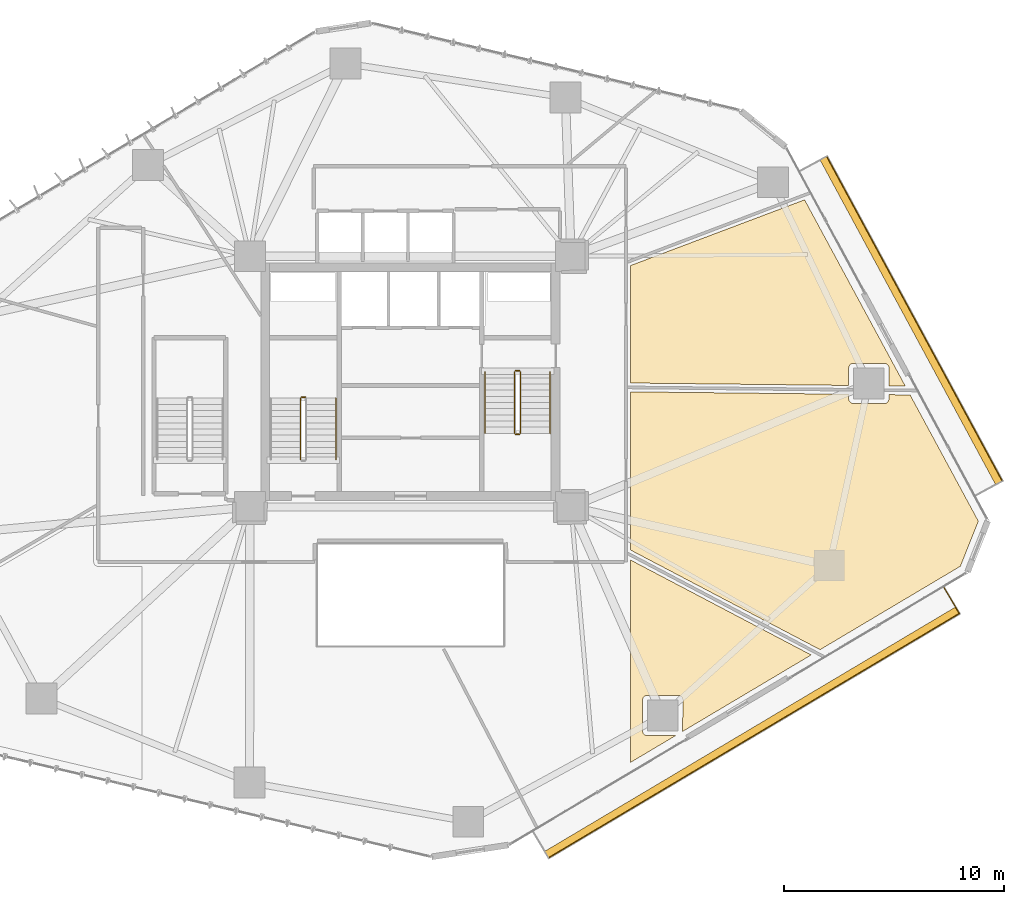
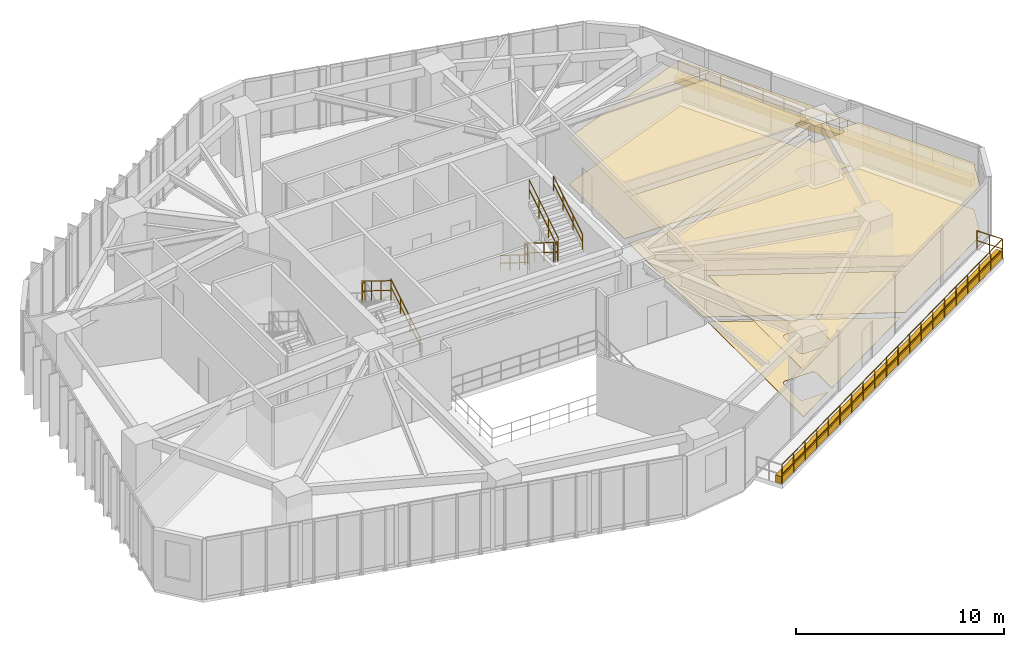
# One storey, part 21 of 23: 12 railings, 8 coverings.
"""IFC4 building model written with IfcOpenShell, lengths in metres."""

from ifc_helpers import new_model, si_unit, direction, frame, origin, origin_2d, place, context, subcontext, project, spatial, polyline, circle, outline, extrude, material, layer, layer_set, type_object, element, save


model = new_model("IFC4")

# Units and contexts
model_context = context("Model", 3, precision=1e-05, world=origin(), true_north=direction((0.0, 1.0)))
body_context = subcontext(model_context, "Body", "Model", "MODEL_VIEW")
ifc_project = project(units=[si_unit("LENGTHUNIT", "METRE"), si_unit("AREAUNIT", "SQUARE_METRE"), si_unit("VOLUMEUNIT", "CUBIC_METRE"), si_unit("PLANEANGLEUNIT", "RADIAN"), si_unit("MASSUNIT", "GRAM", prefix="KILO")], contexts=[model_context])

# Site, building, storey
site_placement = place(None, origin())
site = spatial("IfcSite", under=ifc_project, at=site_placement, CompositionType="ELEMENT")
building_placement = place(site_placement, origin())
building = spatial("IfcBuilding", under=site, at=building_placement, Name="Talar Marvaseh", CompositionType="ELEMENT")
storey_placement = place(building_placement, frame((0.0, 0.0, 50.60009765625)))
storey = spatial("IfcBuildingStorey", under=building, at=storey_placement, Name="L12", CompositionType="ELEMENT", Elevation=50.60009765625)

# Railings
ifc_material_1 = material(Name="Stainless Steel Grade 316", Category="steel")
railing_type_1 = type_object("IfcRailingType", Name="Brushed Stainless Wall Pitch Handrail 900", PredefinedType="HANDRAIL", material=ifc_material_1)
railing_1_placement = place(storey_placement, frame((22.610107421875, 27.64990234375, 0.172607421875)))
element("IfcRailing", 1, at=railing_1_placement, inside=storey, type_object=railing_type_1, Name="L12 ST-1 stair handrail 1", PredefinedType="HANDRAIL", context=body_context, shape_type="SweptSolid", body=[
    extrude(circle(Radius=0.02392578125, at=origin_2d()), frame((0.0, 0.0, 0.8759765625), z_axis=(0.0, 0.851089632645, 0.525020415988), x_axis=(-1.0, 0.0, 0.0)), (0.0, 0.0, 1.0), 3.2900390625),
    extrude(circle(Radius=0.02392578125, at=origin_2d()), frame((0.0, 0.0, 0.42578125), z_axis=(0.0, 0.851089632645, 0.525020415988), x_axis=(-1.0, 0.0, 0.0)), (0.0, 0.0, 1.0), 3.2900390625),
    extrude(circle(Radius=0.02099609375, at=origin_2d()), origin(), (0.0, 0.0, 1.0), 0.851806640625),
    extrude(circle(Radius=0.02099609375, at=origin_2d()), frame((0.0, 0.933349609375, 0.57568359375)), (0.0, 0.0, 1.0), 0.851806640625),
    extrude(circle(Radius=0.02099609375, at=origin_2d()), frame((0.0, 1.86669921875, 1.151611328125)), (0.0, 0.0, 1.0), 0.851806640625),
    extrude(circle(Radius=0.02099609375, at=origin_2d()), frame((0.0, 2.800048828125, 1.727294921875)), (0.0, 0.0, 1.0), 0.851806640625),
])
railing_2_placement = place(storey_placement, frame((29.389892578125, 31.64990234375, 0.172607421875)))
element("IfcRailing", 2, at=railing_2_placement, inside=storey, type_object=railing_type_1, Name="L12 ST-2 stair handrail 1", PredefinedType="HANDRAIL", context=body_context, shape_type="SweptSolid", body=[
    extrude(circle(Radius=0.02392578125, at=origin_2d()), frame((0.0, 0.0, 0.8759765625), z_axis=(0.0, -0.851069175582, 0.525053576669), x_axis=(1.0, 0.0, 0.0)), (0.0, 0.0, 1.0), 3.289794921875),
    extrude(circle(Radius=0.02392578125, at=origin_2d()), frame((0.0, 0.0, 0.42578125), z_axis=(0.0, -0.851069175582, 0.525053576669), x_axis=(1.0, 0.0, 0.0)), (0.0, 0.0, 1.0), 3.289794921875),
    extrude(circle(Radius=0.02099609375, at=origin_2d()), origin(), (0.0, 0.0, 1.0), 0.851806640625),
    extrude(circle(Radius=0.02099609375, at=origin_2d()), frame((0.0, -0.933349609375, 0.57568359375)), (0.0, 0.0, 1.0), 0.851806640625),
    extrude(circle(Radius=0.02099609375, at=origin_2d()), frame((0.0, -1.866455078125, 1.151611328125)), (0.0, 0.0, 1.0), 0.851806640625),
    extrude(circle(Radius=0.02099609375, at=origin_2d()), frame((0.0, -2.7998046875, 1.727294921875)), (0.0, 0.0, 1.0), 0.851806640625),
])
railing_3_placement = place(storey_placement, frame((32.35009765625, 28.85009765625, 2.072509765625)))
element("IfcRailing", 3, at=railing_3_placement, inside=storey, type_object=railing_type_1, Name="L12 ST-2 stair handrail 2", PredefinedType="HANDRAIL", context=body_context, shape_type="SweptSolid", body=[
    extrude(circle(Radius=0.02392578125, at=origin_2d()), frame((0.0, 0.0, 0.8759765625), z_axis=(0.0, 0.851069175582, 0.525053576669), x_axis=(-1.0, 0.0, 0.0)), (0.0, 0.0, 1.0), 3.289794921875),
    extrude(circle(Radius=0.02392578125, at=origin_2d()), frame((0.0, 0.0, 0.42578125), z_axis=(0.0, 0.851069175582, 0.525053576669), x_axis=(-1.0, 0.0, 0.0)), (0.0, 0.0, 1.0), 3.289794921875),
    extrude(circle(Radius=0.02099609375, at=origin_2d()), origin(), (0.0, 0.0, 1.0), 0.851806640625),
    extrude(circle(Radius=0.02099609375, at=origin_2d()), frame((0.0, 0.933349609375, 0.57568359375)), (0.0, 0.0, 1.0), 0.851806640625),
    extrude(circle(Radius=0.02099609375, at=origin_2d()), frame((0.0, 1.866455078125, 1.151611328125)), (0.0, 0.0, 1.0), 0.851806640625),
    extrude(circle(Radius=0.02099609375, at=origin_2d()), frame((0.0, 2.7998046875, 1.727294921875)), (0.0, 0.0, 1.0), 0.851806640625),
])
ifc_material_2 = material(Name="Tempered Clear Glass", Category="glass")
railing_type_2 = type_object("IfcRailingType", Name="External Laminated Glass Terrace Balustrade 1150", PredefinedType="BALUSTRADE", material=ifc_material_2)
railing_4_placement = place(storey_placement, frame((44.93359375, 41.4384765625, 0.0)))
element("IfcRailing", 4, at=railing_4_placement, inside=storey, type_object=railing_type_2, Name="L12 External Terrace Balustrade 1 2", PredefinedType="BALUSTRADE", context=body_context, shape_type="SweptSolid", body=[
    extrude(circle(Radius=0.02392578125, at=origin_2d()), frame((0.0, 0.0, 1.1259765625), z_axis=(0.475686360596, -0.879614964824, 0.0), x_axis=(0.879614964824, 0.475686360596, 0.0)), (0.0, 0.0, 1.0), 16.7666015625),
    extrude(circle(Radius=0.02392578125, at=origin_2d()), frame((0.0, 0.0, 0.55078125), z_axis=(0.475686360596, -0.879614964824, 0.0), x_axis=(0.879614964824, 0.475686360596, 0.0)), (0.0, 0.0, 1.0), 16.7666015625),
    extrude(circle(Radius=0.02099609375, at=origin_2d()), origin(), (0.0, 0.0, 1.0), 1.101806640625),
    extrude(circle(Radius=0.02099609375, at=origin_2d()), frame((0.569580078125, -1.053466796875, 0.0)), (0.0, 0.0, 1.0), 1.101806640625),
    extrude(circle(Radius=0.02099609375, at=origin_2d()), frame((1.139404296875, -2.10693359375, 0.0)), (0.0, 0.0, 1.0), 1.101806640625),
    extrude(circle(Radius=0.02099609375, at=origin_2d()), frame((1.708984375, -3.160400390625, 0.0)), (0.0, 0.0, 1.0), 1.101806640625),
    extrude(circle(Radius=0.02099609375, at=origin_2d()), frame((2.27880859375, -4.213623046875, 0.0)), (0.0, 0.0, 1.0), 1.101806640625),
    extrude(circle(Radius=0.02099609375, at=origin_2d()), frame((2.848388671875, -5.26708984375, 0.0)), (0.0, 0.0, 1.0), 1.101806640625),
    extrude(circle(Radius=0.02099609375, at=origin_2d()), frame((3.418212890625, -6.320556640625, 0.0)), (0.0, 0.0, 1.0), 1.101806640625),
    extrude(circle(Radius=0.02099609375, at=origin_2d()), frame((3.98779296875, -7.3740234375, 0.0)), (0.0, 0.0, 1.0), 1.101806640625),
    extrude(circle(Radius=0.02099609375, at=origin_2d()), frame((4.557373046875, -8.427490234375, 0.0)), (0.0, 0.0, 1.0), 1.101806640625),
    extrude(circle(Radius=0.02099609375, at=origin_2d()), frame((5.127197265625, -9.48095703125, 0.0)), (0.0, 0.0, 1.0), 1.101806640625),
    extrude(circle(Radius=0.02099609375, at=origin_2d()), frame((5.69677734375, -10.534423828125, 0.0)), (0.0, 0.0, 1.0), 1.101806640625),
    extrude(circle(Radius=0.02099609375, at=origin_2d()), frame((6.2666015625, -11.587646484375, 0.0)), (0.0, 0.0, 1.0), 1.101806640625),
    extrude(circle(Radius=0.02099609375, at=origin_2d()), frame((6.836181640625, -12.64111328125, 0.0)), (0.0, 0.0, 1.0), 1.101806640625),
    extrude(circle(Radius=0.02099609375, at=origin_2d()), frame((7.406005859375, -13.694580078125, 0.0)), (0.0, 0.0, 1.0), 1.101806640625),
    extrude(circle(Radius=0.02099609375, at=origin_2d()), frame((7.9755859375, -14.748046875, 0.0)), (0.0, 0.0, 1.0), 1.101806640625),
])
railing_5_placement = place(storey_placement, frame((50.2421875, 21.865966796875, 0.0)))
element("IfcRailing", 5, at=railing_5_placement, inside=storey, type_object=railing_type_2, Name="L12 External Terrace Balustrade 2 1", PredefinedType="BALUSTRADE", context=body_context, shape_type="SweptSolid", body=[
    extrude(circle(Radius=0.02392578125, at=origin_2d()), frame((0.0, 0.0, 1.1259765625), z_axis=(0.511130709238, -0.859502994802, 0.0), x_axis=(0.859502994802, 0.511130709238, 0.0)), (0.0, 0.0, 1.0), 1.409912109375),
    extrude(circle(Radius=0.02392578125, at=origin_2d()), frame((0.0, 0.0, 0.55078125), z_axis=(0.511130709238, -0.859502994802, 0.0), x_axis=(0.859502994802, 0.511130709238, 0.0)), (0.0, 0.0, 1.0), 1.409912109375),
    extrude(circle(Radius=0.02099609375, at=origin_2d()), origin(), (0.0, 0.0, 1.0), 1.101806640625),
    extrude(circle(Radius=0.02099609375, at=origin_2d()), frame((0.3603515625, -0.60595703125, 0.0)), (0.0, 0.0, 1.0), 1.101806640625),
    extrude(circle(Radius=0.02099609375, at=origin_2d()), frame((0.720703125, -1.2119140625, 0.0)), (0.0, 0.0, 1.0), 1.101806640625),
])
railing_6_placement = place(storey_placement, frame((50.962890625, 20.654052734375, 0.0)))
element("IfcRailing", 6, at=railing_6_placement, inside=storey, type_object=railing_type_2, Name="L12 External Terrace Balustrade 2 2", PredefinedType="BALUSTRADE", context=body_context, shape_type="SweptSolid", body=[
    extrude(circle(Radius=0.02392578125, at=origin_2d()), frame((0.0, 0.0, 1.1259765625), z_axis=(-0.859488256313, -0.511155492253, 0.0), x_axis=(0.511155492253, -0.859488256313, 0.0)), (0.0, 0.0, 1.0), 21.7265625),
    extrude(circle(Radius=0.02392578125, at=origin_2d()), frame((0.0, 0.0, 0.55078125), z_axis=(-0.859488256313, -0.511155492253, 0.0), x_axis=(0.511155492253, -0.859488256313, 0.0)), (0.0, 0.0, 1.0), 21.7265625),
    extrude(circle(Radius=0.02099609375, at=origin_2d()), origin(), (0.0, 0.0, 1.0), 1.101806640625),
    extrude(circle(Radius=0.02099609375, at=origin_2d()), frame((-0.98291015625, -0.58447265625, 0.0)), (0.0, 0.0, 1.0), 1.101806640625),
    extrude(circle(Radius=0.02099609375, at=origin_2d()), frame((-1.965576171875, -1.1689453125, 0.0)), (0.0, 0.0, 1.0), 1.101806640625),
    extrude(circle(Radius=0.02099609375, at=origin_2d()), frame((-2.948486328125, -1.75341796875, 0.0)), (0.0, 0.0, 1.0), 1.101806640625),
    extrude(circle(Radius=0.02099609375, at=origin_2d()), frame((-3.931396484375, -2.338134765625, 0.0)), (0.0, 0.0, 1.0), 1.101806640625),
    extrude(circle(Radius=0.02099609375, at=origin_2d()), frame((-4.9140625, -2.922607421875, 0.0)), (0.0, 0.0, 1.0), 1.101806640625),
    extrude(circle(Radius=0.02099609375, at=origin_2d()), frame((-5.89697265625, -3.507080078125, 0.0)), (0.0, 0.0, 1.0), 1.101806640625),
    extrude(circle(Radius=0.02099609375, at=origin_2d()), frame((-6.8798828125, -4.091552734375, 0.0)), (0.0, 0.0, 1.0), 1.101806640625),
    extrude(circle(Radius=0.02099609375, at=origin_2d()), frame((-7.862548828125, -4.676025390625, 0.0)), (0.0, 0.0, 1.0), 1.101806640625),
    extrude(circle(Radius=0.02099609375, at=origin_2d()), frame((-8.845458984375, -5.260498046875, 0.0)), (0.0, 0.0, 1.0), 1.101806640625),
    extrude(circle(Radius=0.02099609375, at=origin_2d()), frame((-9.828369140625, -5.84521484375, 0.0)), (0.0, 0.0, 1.0), 1.101806640625),
    extrude(circle(Radius=0.02099609375, at=origin_2d()), frame((-10.811279296875, -6.4296875, 0.0)), (0.0, 0.0, 1.0), 1.101806640625),
    extrude(circle(Radius=0.02099609375, at=origin_2d()), frame((-11.7939453125, -7.01416015625, 0.0)), (0.0, 0.0, 1.0), 1.101806640625),
    extrude(circle(Radius=0.02099609375, at=origin_2d()), frame((-12.77685546875, -7.5986328125, 0.0)), (0.0, 0.0, 1.0), 1.101806640625),
    extrude(circle(Radius=0.02099609375, at=origin_2d()), frame((-13.759765625, -8.18310546875, 0.0)), (0.0, 0.0, 1.0), 1.101806640625),
    extrude(circle(Radius=0.02099609375, at=origin_2d()), frame((-14.742431640625, -8.767578125, 0.0)), (0.0, 0.0, 1.0), 1.101806640625),
    extrude(circle(Radius=0.02099609375, at=origin_2d()), frame((-15.725341796875, -9.352294921875, 0.0)), (0.0, 0.0, 1.0), 1.101806640625),
    extrude(circle(Radius=0.02099609375, at=origin_2d()), frame((-16.708251953125, -9.936767578125, 0.0)), (0.0, 0.0, 1.0), 1.101806640625),
    extrude(circle(Radius=0.02099609375, at=origin_2d()), frame((-17.69091796875, -10.521240234375, 0.0)), (0.0, 0.0, 1.0), 1.101806640625),
    extrude(circle(Radius=0.02099609375, at=origin_2d()), frame((-18.673828125, -11.105712890625, 0.0)), (0.0, 0.0, 1.0), 1.101806640625),
])
railing_type_3 = type_object("IfcRailingType", Name="Painted Steel Core Stair Well Guardrail 1150", PredefinedType="GUARDRAIL", material=ifc_material_1)
railing_7_placement = place(storey_placement, frame((21.2099609375, 30.5, 1.89990234375)))
element("IfcRailing", 7, at=railing_7_placement, inside=storey, type_object=railing_type_3, Name="L12 ST-1 stair guard 2", PredefinedType="GUARDRAIL", context=body_context, shape_type="SweptSolid", body=[
    extrude(circle(Radius=0.02392578125, at=origin_2d()), frame((0.0, 0.0, 1.1259765625), z_axis=(-1.0, 0.0, 0.0), x_axis=(0.0, -1.0, 0.0)), (0.0, 0.0, 1.0), 0.159912109375),
    extrude(circle(Radius=0.02392578125, at=origin_2d()), frame((0.0, 0.0, 0.55078125), z_axis=(-1.0, 0.0, 0.0), x_axis=(0.0, -1.0, 0.0)), (0.0, 0.0, 1.0), 0.159912109375),
    extrude(circle(Radius=0.02099609375, at=origin_2d()), origin(), (0.0, 0.0, 1.0), 1.101806640625),
    extrude(circle(Radius=0.02099609375, at=origin_2d()), frame((-0.159912109375, 0.0, 0.0)), (0.0, 0.0, 1.0), 1.101806640625),
])
railing_8_placement = place(storey_placement, frame((21.0, 30.449951171875, 2.072509765625)))
element("IfcRailing", 8, at=railing_8_placement, inside=storey, type_object=railing_type_3, Name="L12 ST-1 stair guard 3", PredefinedType="GUARDRAIL", context=body_context, shape_type="SweptSolid", body=[
    extrude(circle(Radius=0.02392578125, at=origin_2d()), frame((0.0, 0.0, 1.1259765625), z_axis=(0.0, -0.851089632645, 0.525020415988), x_axis=(1.0, 0.0, 0.0)), (0.0, 0.0, 1.0), 3.2900390625),
    extrude(circle(Radius=0.02392578125, at=origin_2d()), frame((0.0, 0.0, 0.55078125), z_axis=(0.0, -0.851089632645, 0.525020415988), x_axis=(1.0, 0.0, 0.0)), (0.0, 0.0, 1.0), 3.2900390625),
    extrude(circle(Radius=0.02099609375, at=origin_2d()), origin(), (0.0, 0.0, 1.0), 1.101806640625),
    extrude(circle(Radius=0.02099609375, at=origin_2d()), frame((0.0, -0.933349609375, 0.57568359375)), (0.0, 0.0, 1.0), 1.101806640625),
    extrude(circle(Radius=0.02099609375, at=origin_2d()), frame((0.0, -1.86669921875, 1.151611328125)), (0.0, 0.0, 1.0), 1.101806640625),
    extrude(circle(Radius=0.02099609375, at=origin_2d()), frame((0.0, -2.800048828125, 1.727294921875)), (0.0, 0.0, 1.0), 1.101806640625),
])
railing_9_placement = place(storey_placement, frame((30.739990234375, 31.64990234375, 0.172607421875)))
element("IfcRailing", 9, at=railing_9_placement, inside=storey, type_object=railing_type_3, Name="L12 ST-2 stair guard 1", PredefinedType="GUARDRAIL", context=body_context, shape_type="SweptSolid", body=[
    extrude(circle(Radius=0.02392578125, at=origin_2d()), frame((0.0, 0.0, 1.1259765625), z_axis=(0.0, -0.851069175582, 0.525053576669), x_axis=(1.0, 0.0, 0.0)), (0.0, 0.0, 1.0), 3.289794921875),
    extrude(circle(Radius=0.02392578125, at=origin_2d()), frame((0.0, 0.0, 0.55078125), z_axis=(0.0, -0.851069175582, 0.525053576669), x_axis=(1.0, 0.0, 0.0)), (0.0, 0.0, 1.0), 3.289794921875),
    extrude(circle(Radius=0.02099609375, at=origin_2d()), origin(), (0.0, 0.0, 1.0), 1.101806640625),
    extrude(circle(Radius=0.02099609375, at=origin_2d()), frame((0.0, -0.933349609375, 0.57568359375)), (0.0, 0.0, 1.0), 1.101806640625),
    extrude(circle(Radius=0.02099609375, at=origin_2d()), frame((0.0, -1.866455078125, 1.151611328125)), (0.0, 0.0, 1.0), 1.101806640625),
    extrude(circle(Radius=0.02099609375, at=origin_2d()), frame((0.0, -2.7998046875, 1.727294921875)), (0.0, 0.0, 1.0), 1.101806640625),
])
railing_10_placement = place(storey_placement, frame((30.7900390625, 28.800048828125, 1.89990234375)))
element("IfcRailing", 10, at=railing_10_placement, inside=storey, type_object=railing_type_3, Name="L12 ST-2 stair guard 2", PredefinedType="GUARDRAIL", context=body_context, shape_type="SweptSolid", body=[
    extrude(circle(Radius=0.02392578125, at=origin_2d()), frame((0.0, 0.0, 1.1259765625), z_axis=(1.0, 0.0, 0.0), x_axis=(0.0, 1.0, 0.0)), (0.0, 0.0, 1.0), 0.159912109375),
    extrude(circle(Radius=0.02392578125, at=origin_2d()), frame((0.0, 0.0, 0.55078125), z_axis=(1.0, 0.0, 0.0), x_axis=(0.0, 1.0, 0.0)), (0.0, 0.0, 1.0), 0.159912109375),
    extrude(circle(Radius=0.02099609375, at=origin_2d()), origin(), (0.0, 0.0, 1.0), 1.101806640625),
    extrude(circle(Radius=0.02099609375, at=origin_2d()), frame((0.159912109375, 0.0, 0.0)), (0.0, 0.0, 1.0), 1.101806640625),
])
railing_11_placement = place(storey_placement, frame((31.0, 28.85009765625, 2.072509765625)))
element("IfcRailing", 11, at=railing_11_placement, inside=storey, type_object=railing_type_3, Name="L12 ST-2 stair guard 3", PredefinedType="GUARDRAIL", context=body_context, shape_type="SweptSolid", body=[
    extrude(circle(Radius=0.02392578125, at=origin_2d()), frame((0.0, 0.0, 1.1259765625), z_axis=(0.0, 0.851069175582, 0.525053576669), x_axis=(-1.0, 0.0, 0.0)), (0.0, 0.0, 1.0), 3.289794921875),
    extrude(circle(Radius=0.02392578125, at=origin_2d()), frame((0.0, 0.0, 0.55078125), z_axis=(0.0, 0.851069175582, 0.525053576669), x_axis=(-1.0, 0.0, 0.0)), (0.0, 0.0, 1.0), 3.289794921875),
    extrude(circle(Radius=0.02099609375, at=origin_2d()), origin(), (0.0, 0.0, 1.0), 1.101806640625),
    extrude(circle(Radius=0.02099609375, at=origin_2d()), frame((0.0, 0.933349609375, 0.57568359375)), (0.0, 0.0, 1.0), 1.101806640625),
    extrude(circle(Radius=0.02099609375, at=origin_2d()), frame((0.0, 1.866455078125, 1.151611328125)), (0.0, 0.0, 1.0), 1.101806640625),
    extrude(circle(Radius=0.02099609375, at=origin_2d()), frame((0.0, 2.7998046875, 1.727294921875)), (0.0, 0.0, 1.0), 1.101806640625),
])
railing_12_placement = place(storey_placement, frame((30.7900390625, 31.699951171875, 0.0)))
element("IfcRailing", 12, at=railing_12_placement, inside=storey, type_object=railing_type_3, Name="L12 ST-2 stair guard 4", PredefinedType="GUARDRAIL", context=body_context, shape_type="SweptSolid", body=[
    extrude(circle(Radius=0.02392578125, at=origin_2d()), frame((0.0, 0.0, 1.1259765625), z_axis=(1.0, 0.0, 0.0), x_axis=(0.0, 1.0, 0.0)), (0.0, 0.0, 1.0), 0.159912109375),
    extrude(circle(Radius=0.02392578125, at=origin_2d()), frame((0.0, 0.0, 0.55078125), z_axis=(1.0, 0.0, 0.0), x_axis=(0.0, 1.0, 0.0)), (0.0, 0.0, 1.0), 0.159912109375),
    extrude(circle(Radius=0.02099609375, at=origin_2d()), origin(), (0.0, 0.0, 1.0), 1.101806640625),
    extrude(circle(Radius=0.02099609375, at=origin_2d()), frame((0.159912109375, 0.0, 0.0)), (0.0, 0.0, 1.0), 1.101806640625),
])

# Coverings
ifc_material_3 = material(Name="Mineral Fibre Acoustic Ceiling")
ifc_layer_1 = layer(ifc_material_3, 0.02490234375)
ifc_layer_set_1 = layer_set([ifc_layer_1], Name="Mineral Fibre Acoustic Ceiling")
covering_type_1 = type_object("IfcCoveringType", Name="Perforated Mineral Fibre Acoustic Suspended Ceiling", PredefinedType="CEILING", material=ifc_layer_set_1)
covering_1_placement = place(storey_placement, frame((0.0, 0.0, 2.719970703125)))
element("IfcCovering", 13, at=covering_1_placement, inside=storey, type_object=covering_type_1, Name="L12 Gallery Concierge Reception Acoustic Ceiling", PredefinedType="CEILING", context=body_context, shape_type="SweptSolid", body=[
    extrude(outline(polyline([(44.221435546875, 18.77392578125), (38.3779296875, 15.298583984375), (38.378662109375, 15.309814453125), (38.3828125, 16.721923828125), (38.382080078125, 16.740478515625), (38.379638671875, 16.7587890625), (38.375244140625, 16.777099609375), (38.369384765625, 16.794677734375), (38.36181640625, 16.811767578125), (38.352783203125, 16.827880859375), (38.34228515625, 16.84326171875), (38.330322265625, 16.857666015625), (38.317138671875, 16.87060546875), (38.30224609375, 16.88427734375), (38.2880859375, 16.89599609375), (38.272705078125, 16.906494140625), (38.256591796875, 16.915283203125), (38.23974609375, 16.922607421875), (38.22216796875, 16.928466796875), (38.2041015625, 16.9326171875), (38.185791015625, 16.935302734375), (38.16748046875, 16.93603515625), (36.7568359375, 16.931640625), (36.7373046875, 16.9306640625), (36.7177734375, 16.927490234375), (36.698974609375, 16.9228515625), (36.680419921875, 16.916259765625), (36.66259765625, 16.90771484375), (36.64599609375, 16.897705078125), (36.63037109375, 16.885986328125), (36.61572265625, 16.872802734375), (36.6025390625, 16.8583984375), (36.591064453125, 16.842529296875), (36.580810546875, 16.82568359375), (36.572509765625, 16.80810546875), (36.56591796875, 16.78955078125), (36.561279296875, 16.7705078125), (36.558349609375, 16.751220703125), (36.557373046875, 16.731689453125), (36.557373046875, 15.310302734375), (36.558349609375, 15.290771484375), (36.561279296875, 15.271484375), (36.56591796875, 15.252197265625), (36.572509765625, 15.23388671875), (36.5810546875, 15.216064453125), (36.591064453125, 15.19921875), (36.602783203125, 15.18359375), (36.615966796875, 15.1689453125), (36.630615234375, 15.15576171875), (36.646240234375, 15.14404296875), (36.6630859375, 15.134033203125), (36.680908203125, 15.12548828125), (36.69921875, 15.118896484375), (36.718505859375, 15.1142578125), (36.73779296875, 15.111328125), (36.75732421875, 15.1103515625), (38.061279296875, 15.1103515625), (36.0, 13.884521484375), (36.0, 23.0), (36.0, 23.09521484375), (44.221435546875, 18.77392578125)])), origin(), (0.0, 0.0, 1.0), 0.02490234375),
])
covering_2_placement = place(storey_placement, frame((0.0, 0.0, 2.719970703125)))
element("IfcCovering", 14, at=covering_2_placement, inside=storey, type_object=covering_type_1, Name="L12 Main Reading Room Acoustic Ceiling", PredefinedType="CEILING", context=body_context, shape_type="SweptSolid", body=[
    extrude(outline(polyline([(36.0, 23.547119140625), (36.0, 30.73681640625), (45.926025390625, 30.62744140625), (45.926025390625, 30.4189453125), (45.927001953125, 30.3994140625), (45.9296875, 30.3798828125), (45.9345703125, 30.36083984375), (45.941162109375, 30.342529296875), (45.94970703125, 30.32470703125), (45.959716796875, 30.307861328125), (45.971435546875, 30.2919921875), (45.984619140625, 30.277587890625), (45.99951171875, 30.2626953125), (46.01416015625, 30.24951171875), (46.02978515625, 30.23779296875), (46.046630859375, 30.2275390625), (46.064453125, 30.21923828125), (46.0830078125, 30.212646484375), (46.10205078125, 30.207763671875), (46.121337890625, 30.205078125), (46.14111328125, 30.2041015625), (47.54248046875, 30.2041015625), (47.56103515625, 30.205078125), (47.579345703125, 30.20751953125), (47.597412109375, 30.2119140625), (47.614990234375, 30.2177734375), (47.632080078125, 30.22509765625), (47.648193359375, 30.234375), (47.663330078125, 30.244873046875), (47.677490234375, 30.256591796875), (47.690673828125, 30.269775390625), (47.7041015625, 30.28466796875), (47.717529296875, 30.301025390625), (47.72900390625, 30.318603515625), (47.738525390625, 30.33740234375), (47.74609375, 30.35693359375), (47.751708984375, 30.377197265625), (47.7548828125, 30.39794921875), (47.756103515625, 30.4189453125), (47.756103515625, 30.607177734375), (48.71630859375, 30.5966796875), (51.818359375, 24.860107421875), (51.00244140625, 22.806884765625), (44.625, 19.013916015625), (36.0, 23.547119140625)])), origin(), (0.0, 0.0, 1.0), 0.02490234375),
])
covering_3_placement = place(storey_placement, frame((0.0, 0.0, 2.719970703125)))
element("IfcCovering", 15, at=covering_3_placement, inside=storey, type_object=covering_type_1, Name="L12 Visitor Orientation Foyer Acoustic Ceiling", PredefinedType="CEILING", context=body_context, shape_type="SweptSolid", body=[
    extrude(outline(polyline([(47.7548828125, 31.838623046875), (47.752197265625, 31.85791015625), (47.747314453125, 31.877197265625), (47.74072265625, 31.8955078125), (47.732421875, 31.913330078125), (47.722412109375, 31.93017578125), (47.710693359375, 31.94580078125), (47.697509765625, 31.96044921875), (47.682373046875, 31.975341796875), (47.667724609375, 31.988525390625), (47.652099609375, 32.000244140625), (47.63525390625, 32.010498046875), (47.617431640625, 32.018798828125), (47.598876953125, 32.025390625), (47.579833984375, 32.0302734375), (47.560302734375, 32.033203125), (47.54052734375, 32.033935546875), (46.13232421875, 32.031494140625), (46.11279296875, 32.030517578125), (46.093505859375, 32.027587890625), (46.074462890625, 32.022705078125), (46.055908203125, 32.01611328125), (46.038330078125, 32.0078125), (46.021484375, 31.997802734375), (46.005859375, 31.986083984375), (45.9912109375, 31.972900390625), (45.978271484375, 31.95849609375), (45.966552734375, 31.94287109375), (45.956298828125, 31.926025390625), (45.94970703125, 31.91357421875), (45.94140625, 31.895751953125), (45.934814453125, 31.877197265625), (45.929931640625, 31.858154296875), (45.927001953125, 31.838623046875), (45.926025390625, 31.819091796875), (45.926025390625, 31.02734375), (36.0, 31.13671875), (36.0, 36.475341796875), (43.919677734375, 39.46630859375), (48.498779296875, 30.9990234375), (47.756103515625, 31.007080078125), (47.756103515625, 31.819091796875), (47.7548828125, 31.838623046875)])), origin(), (0.0, 0.0, 1.0), 0.02490234375),
])
ifc_material_4 = material(Name="Planted Terrace Vegetated Substrate")
ifc_layer_2 = layer(ifc_material_4, 0.39990234375)
ifc_layer_set_2 = layer_set([ifc_layer_2], Name="Planted Terrace Vegetated Substrate")
covering_type_2 = type_object("IfcCoveringType", Name="Planted Terrace Soil Planter Box Cladding", PredefinedType="CLADDING", material=ifc_layer_set_2)
covering_4_placement = place(storey_placement, origin())
element("IfcCovering", 16, at=covering_4_placement, inside=storey, type_object=covering_type_2, Name="L12 Balcony Structural Planter 1", PredefinedType="CLADDING", context=body_context, shape_type="SweptSolid", body=[
    extrude(outline(polyline([(44.93359375, 41.4384765625), (52.9091796875, 26.6904296875), (52.601318359375, 26.52392578125), (44.625732421875, 41.27197265625), (44.93359375, 41.4384765625)])), origin(), (0.0, 0.0, 1.0), 0.419921875),
])
covering_5_placement = place(storey_placement, origin())
element("IfcCovering", 17, at=covering_5_placement, inside=storey, type_object=covering_type_2, Name="L12 Balcony Structural Planter 2", PredefinedType="CLADDING", context=body_context, shape_type="SweptSolid", body=[
    extrude(outline(polyline([(50.962890625, 20.654052734375), (32.2890625, 9.54833984375), (32.110107421875, 9.84912109375), (50.783935546875, 20.954833984375), (50.962890625, 20.654052734375)])), origin(), (0.0, 0.0, 1.0), 0.419921875),
])
ifc_material_5 = material(Name="Porcelain Stoneware Tile", Category="masonry")
ifc_layer_3 = layer(ifc_material_5, 0.02001953125)
ifc_layer_set_3 = layer_set([ifc_layer_3], Name="Porcelain Stoneware Tile")
covering_type_3 = type_object("IfcCoveringType", Name="Polished Porcelain Stoneware Gallery Flooring", PredefinedType="FLOORING", material=ifc_layer_set_3)
covering_6_placement = place(storey_placement, origin())
element("IfcCovering", 18, at=covering_6_placement, inside=storey, type_object=covering_type_3, Name="L12 Gallery Concierge Reception Flooring", PredefinedType="FLOORING", context=body_context, shape_type="SweptSolid", body=[
    extrude(outline(polyline([(44.221435546875, 18.77392578125), (38.3779296875, 15.298583984375), (38.378662109375, 15.309814453125), (38.3828125, 16.721923828125), (38.382080078125, 16.740478515625), (38.379638671875, 16.7587890625), (38.375244140625, 16.777099609375), (38.369384765625, 16.794677734375), (38.36181640625, 16.811767578125), (38.352783203125, 16.827880859375), (38.34228515625, 16.84326171875), (38.330322265625, 16.857666015625), (38.317138671875, 16.87060546875), (38.30224609375, 16.88427734375), (38.2880859375, 16.89599609375), (38.272705078125, 16.906494140625), (38.256591796875, 16.915283203125), (38.23974609375, 16.922607421875), (38.22216796875, 16.928466796875), (38.2041015625, 16.9326171875), (38.185791015625, 16.935302734375), (38.16748046875, 16.93603515625), (36.7568359375, 16.931640625), (36.7373046875, 16.9306640625), (36.7177734375, 16.927490234375), (36.698974609375, 16.9228515625), (36.680419921875, 16.916259765625), (36.66259765625, 16.90771484375), (36.64599609375, 16.897705078125), (36.63037109375, 16.885986328125), (36.61572265625, 16.872802734375), (36.6025390625, 16.8583984375), (36.591064453125, 16.842529296875), (36.580810546875, 16.82568359375), (36.572509765625, 16.80810546875), (36.56591796875, 16.78955078125), (36.561279296875, 16.7705078125), (36.558349609375, 16.751220703125), (36.557373046875, 16.731689453125), (36.557373046875, 15.310302734375), (36.558349609375, 15.290771484375), (36.561279296875, 15.271484375), (36.56591796875, 15.252197265625), (36.572509765625, 15.23388671875), (36.5810546875, 15.216064453125), (36.591064453125, 15.19921875), (36.602783203125, 15.18359375), (36.615966796875, 15.1689453125), (36.630615234375, 15.15576171875), (36.646240234375, 15.14404296875), (36.6630859375, 15.134033203125), (36.680908203125, 15.12548828125), (36.69921875, 15.118896484375), (36.718505859375, 15.1142578125), (36.73779296875, 15.111328125), (36.75732421875, 15.1103515625), (38.061279296875, 15.1103515625), (36.0, 13.884521484375), (36.0, 23.0), (36.0, 23.09521484375), (44.221435546875, 18.77392578125)])), origin(), (0.0, 0.0, 1.0), 0.02001953125),
])
covering_7_placement = place(storey_placement, origin())
element("IfcCovering", 19, at=covering_7_placement, inside=storey, type_object=covering_type_3, Name="L12 Main Reading Room Flooring", PredefinedType="FLOORING", context=body_context, shape_type="SweptSolid", body=[
    extrude(outline(polyline([(36.0, 23.547119140625), (36.0, 30.73681640625), (45.926025390625, 30.62744140625), (45.926025390625, 30.4189453125), (45.927001953125, 30.3994140625), (45.9296875, 30.3798828125), (45.9345703125, 30.36083984375), (45.941162109375, 30.342529296875), (45.94970703125, 30.32470703125), (45.959716796875, 30.307861328125), (45.971435546875, 30.2919921875), (45.984619140625, 30.277587890625), (45.99951171875, 30.2626953125), (46.01416015625, 30.24951171875), (46.02978515625, 30.23779296875), (46.046630859375, 30.2275390625), (46.064453125, 30.21923828125), (46.0830078125, 30.212646484375), (46.10205078125, 30.207763671875), (46.121337890625, 30.205078125), (46.14111328125, 30.2041015625), (47.54248046875, 30.2041015625), (47.56103515625, 30.205078125), (47.579345703125, 30.20751953125), (47.597412109375, 30.2119140625), (47.614990234375, 30.2177734375), (47.632080078125, 30.22509765625), (47.648193359375, 30.234375), (47.663330078125, 30.244873046875), (47.677490234375, 30.256591796875), (47.690673828125, 30.269775390625), (47.7041015625, 30.28466796875), (47.717529296875, 30.301025390625), (47.72900390625, 30.318603515625), (47.738525390625, 30.33740234375), (47.74609375, 30.35693359375), (47.751708984375, 30.377197265625), (47.7548828125, 30.39794921875), (47.756103515625, 30.4189453125), (47.756103515625, 30.607177734375), (48.71630859375, 30.5966796875), (51.818359375, 24.860107421875), (51.00244140625, 22.806884765625), (44.625, 19.013916015625), (36.0, 23.547119140625)])), origin(), (0.0, 0.0, 1.0), 0.02001953125),
])
covering_8_placement = place(storey_placement, origin())
element("IfcCovering", 20, at=covering_8_placement, inside=storey, type_object=covering_type_3, Name="L12 Visitor Orientation Foyer Flooring", PredefinedType="FLOORING", context=body_context, shape_type="SweptSolid", body=[
    extrude(outline(polyline([(47.7548828125, 31.838623046875), (47.752197265625, 31.85791015625), (47.747314453125, 31.877197265625), (47.74072265625, 31.8955078125), (47.732421875, 31.913330078125), (47.722412109375, 31.93017578125), (47.710693359375, 31.94580078125), (47.697509765625, 31.96044921875), (47.682373046875, 31.975341796875), (47.667724609375, 31.988525390625), (47.652099609375, 32.000244140625), (47.63525390625, 32.010498046875), (47.617431640625, 32.018798828125), (47.598876953125, 32.025390625), (47.579833984375, 32.0302734375), (47.560302734375, 32.033203125), (47.54052734375, 32.033935546875), (46.13232421875, 32.031494140625), (46.11279296875, 32.030517578125), (46.093505859375, 32.027587890625), (46.074462890625, 32.022705078125), (46.055908203125, 32.01611328125), (46.038330078125, 32.0078125), (46.021484375, 31.997802734375), (46.005859375, 31.986083984375), (45.9912109375, 31.972900390625), (45.978271484375, 31.95849609375), (45.966552734375, 31.94287109375), (45.956298828125, 31.926025390625), (45.94970703125, 31.91357421875), (45.94140625, 31.895751953125), (45.934814453125, 31.877197265625), (45.929931640625, 31.858154296875), (45.927001953125, 31.838623046875), (45.926025390625, 31.819091796875), (45.926025390625, 31.02734375), (36.0, 31.13671875), (36.0, 36.475341796875), (43.919677734375, 39.46630859375), (48.498779296875, 30.9990234375), (47.756103515625, 31.007080078125), (47.756103515625, 31.819091796875), (47.7548828125, 31.838623046875)])), origin(), (0.0, 0.0, 1.0), 0.02001953125),
])

save(model, "model.ifc")
